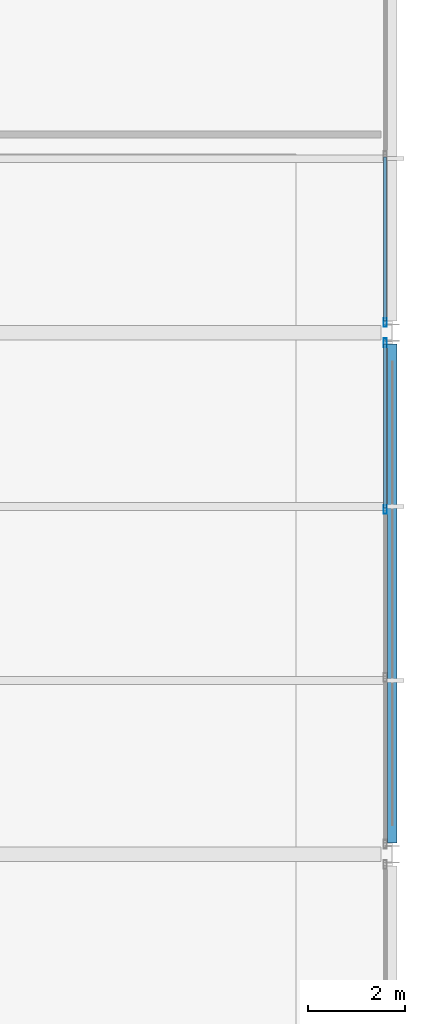
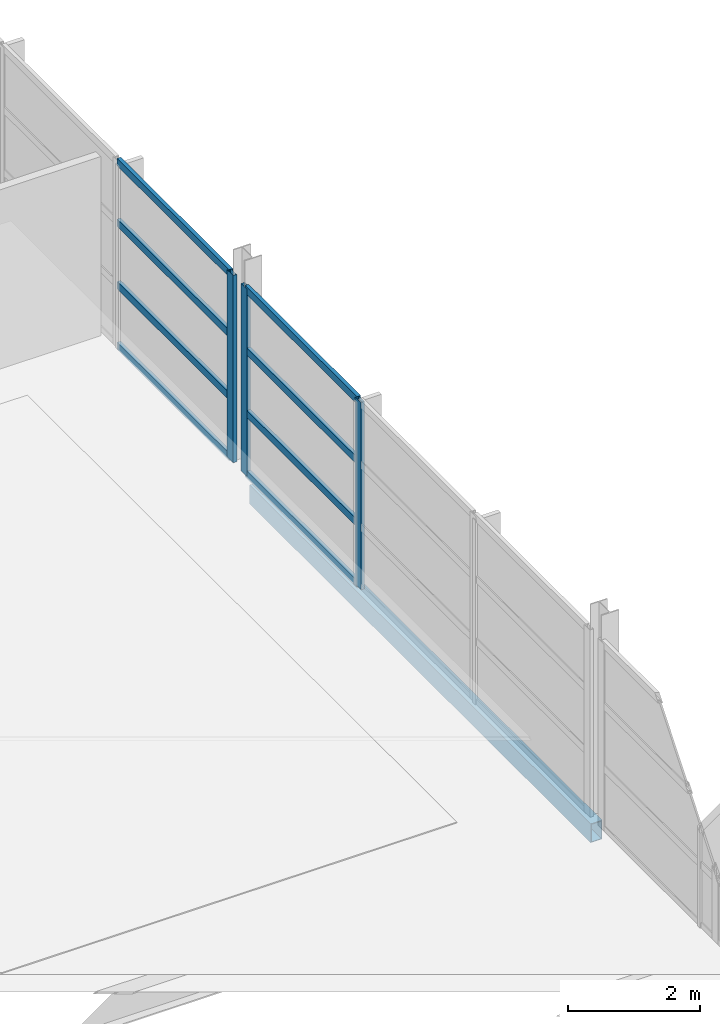
# One storey, part 13 of 33: 11 members, 1 beam, 2 elements without a shape of their own.
"""IFC4 building model written with IfcOpenShell, lengths in metres."""

from ifc_helpers import new_model, si_unit, direction, frame, origin, origin_2d, place, context, subcontext, project, spatial, hollow_rectangle, extrude, material, layer, layer_set, material_profile, profile_set, type_object, element, aggregate, save


model = new_model("IFC4")

# Units and contexts
model_context = context("Model", 3, precision=1e-05, world=origin(), true_north=direction((0.0, 1.0)))
body_context = subcontext(model_context, "Body", "Model", "MODEL_VIEW")
ifc_project = project(units=[si_unit("LENGTHUNIT", "METRE"), si_unit("AREAUNIT", "SQUARE_METRE"), si_unit("VOLUMEUNIT", "CUBIC_METRE"), si_unit("PLANEANGLEUNIT", "RADIAN"), si_unit("MASSUNIT", "GRAM", prefix="KILO")], contexts=[model_context])

# Site, building, storey
site_placement = place(None, origin())
site = spatial("IfcSite", under=ifc_project, at=site_placement, CompositionType="ELEMENT")
building_placement = place(site_placement, origin())
building = spatial("IfcBuilding", under=site, at=building_placement, Name="Tamarisk Ironworks Central Station", CompositionType="ELEMENT")
storey_placement = place(building_placement, frame((0.0, 0.0, 21.300048828125)))
storey = spatial("IfcBuildingStorey", under=building, at=storey_placement, Name="L04", CompositionType="ELEMENT", Elevation=21.300048828125)

# Beam
ifc_material_1 = material(Name="Structural steel S355J2", Category="steel")
ifc_material_profile_1 = material_profile(ifc_material_1, hollow_rectangle(XDim=0.199951171875, YDim=0.35009765625, WallThickness=0.012451171875, at=origin_2d()), Name="RHS 350x200x12.5")
ifc_profile_set_1 = profile_set([ifc_material_profile_1], Name="Structural steel S355J2")
beam_type = type_object("IfcBeamType", Name="BM-SP01", PredefinedType="SPANDREL", material=ifc_profile_set_1)
beam_placement = place(storey_placement, frame((180.0, 90.238037109375, -0.39501953125), z_axis=(0.0, 1.0, 0.0), x_axis=(-1.0, 0.0, 0.0)))
element("IfcBeam", 1, at=beam_placement, inside=storey, type_object=beam_type, Name="L04 primary girder Y-0747", PredefinedType="SPANDREL", context=body_context, shape_type="SweptSolid", body=[
    extrude(hollow_rectangle(XDim=0.199951171875, YDim=0.35009765625, WallThickness=0.012451171875, at=origin_2d()), origin(), (0.0, 0.0, 1.0), 10.323974609375),
])

# Curtain wall, members
ifc_material_2 = material(Name="Anodized aluminium alloy 6063-T6", Category="aluminium")
ifc_layer = layer(ifc_material_2, 0.179931640625)
ifc_layer_set = layer_set([ifc_layer], Name="Anodized aluminium alloy 6063-T6")
curtain_wall_type = type_object("IfcCurtainWallType", Name="CW-22", PredefinedType="USERDEFINED", material=ifc_layer_set)
curtain_wall_1_placement = place(storey_placement, origin())
curtain_wall_1 = element("IfcCurtainWall", 2, at=curtain_wall_1_placement, inside=storey, type_object=curtain_wall_type, Name="Operations L04 east facade curtain wall 090", ObjectType="GLAZED CURTAIN WALL", PredefinedType="USERDEFINED")
ifc_material_profile_2 = material_profile(ifc_material_2, hollow_rectangle(XDim=0.06494140625, YDim=0.179931640625, WallThickness=0.00390625, at=origin_2d()), Name="ALUM 180x65")
ifc_profile_set_2 = profile_set([ifc_material_profile_2], Name="Anodized aluminium alloy 6063-T6")
member_type_1 = type_object("IfcMemberType", Name="CWM-02", PredefinedType="MULLION", material=ifc_profile_set_2)
member_1_placement = place(storey_placement, frame((179.85009765625, 97.140625, 0.0), z_axis=(0.0, 0.0, 1.0), x_axis=(-1.0, 0.0, 0.0)))
member_1 = element("IfcMember", 3, at=member_1_placement, type_object=member_type_1, Name="CW22 mullion 3", PredefinedType="MULLION", context=body_context, shape_type="SweptSolid", body=[
    extrude(hollow_rectangle(XDim=0.06494140625, YDim=0.179931640625, WallThickness=0.00390625, at=origin_2d()), origin(), (0.0, 0.0, 1.0), 3.4599609375),
])
member_2_placement = place(storey_placement, frame((179.85009765625, 100.589599609375, 0.0), z_axis=(0.0, 0.0, 1.0), x_axis=(-1.0, 0.0, 0.0)))
member_2 = element("IfcMember", 4, at=member_2_placement, type_object=member_type_1, Name="CW22 mullion 4", PredefinedType="MULLION", context=body_context, shape_type="SweptSolid", body=[
    extrude(hollow_rectangle(XDim=0.06494140625, YDim=0.179931640625, WallThickness=0.00390625, at=origin_2d()), origin(), (0.0, 0.0, 1.0), 3.4599609375),
])

# Curtain wall, member
curtain_wall_2_placement = place(storey_placement, origin())
curtain_wall_2 = element("IfcCurtainWall", 5, at=curtain_wall_2_placement, inside=storey, type_object=curtain_wall_type, Name="Operations L04 east facade curtain wall 100", ObjectType="GLAZED CURTAIN WALL", PredefinedType="USERDEFINED")
member_3_placement = place(storey_placement, frame((179.85009765625, 101.010498046875, 0.0), z_axis=(0.0, 0.0, 1.0), x_axis=(-1.0, 0.0, 0.0)))
member_3 = element("IfcMember", 6, at=member_3_placement, type_object=member_type_1, Name="CW22 mullion 1", PredefinedType="MULLION", context=body_context, shape_type="SweptSolid", body=[
    extrude(hollow_rectangle(XDim=0.06494140625, YDim=0.179931640625, WallThickness=0.00390625, at=origin_2d()), origin(), (0.0, 0.0, 1.0), 3.4599609375),
])

# Member
ifc_material_profile_3 = material_profile(ifc_material_2, hollow_rectangle(XDim=0.06494140625, YDim=0.135009765625, WallThickness=0.00341796875, at=origin_2d()), Name="ALUM 135x65")
ifc_profile_set_3 = profile_set([ifc_material_profile_3], Name="Anodized aluminium alloy 6063-T6")
member_type_2 = type_object("IfcMemberType", Name="CWT-02", PredefinedType="USERDEFINED", material=ifc_profile_set_3)
member_4_placement = place(storey_placement, frame((179.85009765625, 97.169189453125, 0.032470703125), z_axis=(0.0, 1.0, 0.0), x_axis=(-1.0, 0.0, 0.0)))
member_4 = element("IfcMember", 7, at=member_4_placement, type_object=member_type_2, Name="CW22 transom 3.1", ObjectType="TRANSOM", PredefinedType="USERDEFINED", context=body_context, shape_type="SweptSolid", body=[
    extrude(hollow_rectangle(XDim=0.06494140625, YDim=0.135009765625, WallThickness=0.00341796875, at=origin_2d()), origin(), (0.0, 0.0, 1.0), 3.391845703125),
])

member_5_placement = place(storey_placement, frame((179.85009765625, 97.169189453125, 1.1533203125), z_axis=(0.0, 1.0, 0.0), x_axis=(-1.0, 0.0, 0.0)))
member_5 = element("IfcMember", 8, at=member_5_placement, type_object=member_type_2, Name="CW22 transom 3.2", ObjectType="TRANSOM", PredefinedType="USERDEFINED", context=body_context, shape_type="SweptSolid", body=[
    extrude(hollow_rectangle(XDim=0.06494140625, YDim=0.135009765625, WallThickness=0.00341796875, at=origin_2d()), origin(), (0.0, 0.0, 1.0), 3.391845703125),
])

member_6_placement = place(storey_placement, frame((179.85009765625, 97.169189453125, 2.306640625), z_axis=(0.0, 1.0, 0.0), x_axis=(-1.0, 0.0, 0.0)))
member_6 = element("IfcMember", 9, at=member_6_placement, type_object=member_type_2, Name="CW22 transom 3.3", ObjectType="TRANSOM", PredefinedType="USERDEFINED", context=body_context, shape_type="SweptSolid", body=[
    extrude(hollow_rectangle(XDim=0.06494140625, YDim=0.135009765625, WallThickness=0.00341796875, at=origin_2d()), origin(), (0.0, 0.0, 1.0), 3.391845703125),
])

member_7_placement = place(storey_placement, frame((179.85009765625, 97.169189453125, 3.427490234375), z_axis=(0.0, 1.0, 0.0), x_axis=(-1.0, 0.0, 0.0)))
member_7 = element("IfcMember", 10, at=member_7_placement, type_object=member_type_2, Name="CW22 transom 3.4", ObjectType="TRANSOM", PredefinedType="USERDEFINED", context=body_context, shape_type="SweptSolid", body=[
    extrude(hollow_rectangle(XDim=0.06494140625, YDim=0.135009765625, WallThickness=0.00341796875, at=origin_2d()), origin(), (0.0, 0.0, 1.0), 3.391845703125),
])

aggregate(curtain_wall_1, [member_1, member_2, member_4, member_5, member_6, member_7])

member_8_placement = place(storey_placement, frame((179.85009765625, 101.0390625, 0.032470703125), z_axis=(0.0, 1.0, 0.0), x_axis=(-1.0, 0.0, 0.0)))
member_8 = element("IfcMember", 11, at=member_8_placement, type_object=member_type_2, Name="CW22 transom 1.1", ObjectType="TRANSOM", PredefinedType="USERDEFINED", context=body_context, shape_type="SweptSolid", body=[
    extrude(hollow_rectangle(XDim=0.06494140625, YDim=0.135009765625, WallThickness=0.00341796875, at=origin_2d()), origin(), (0.0, 0.0, 1.0), 3.391845703125),
])

member_9_placement = place(storey_placement, frame((179.85009765625, 101.0390625, 1.1533203125), z_axis=(0.0, 1.0, 0.0), x_axis=(-1.0, 0.0, 0.0)))
member_9 = element("IfcMember", 12, at=member_9_placement, type_object=member_type_2, Name="CW22 transom 1.2", ObjectType="TRANSOM", PredefinedType="USERDEFINED", context=body_context, shape_type="SweptSolid", body=[
    extrude(hollow_rectangle(XDim=0.06494140625, YDim=0.135009765625, WallThickness=0.00341796875, at=origin_2d()), origin(), (0.0, 0.0, 1.0), 3.391845703125),
])

member_10_placement = place(storey_placement, frame((179.85009765625, 101.0390625, 2.306640625), z_axis=(0.0, 1.0, 0.0), x_axis=(-1.0, 0.0, 0.0)))
member_10 = element("IfcMember", 13, at=member_10_placement, type_object=member_type_2, Name="CW22 transom 1.3", ObjectType="TRANSOM", PredefinedType="USERDEFINED", context=body_context, shape_type="SweptSolid", body=[
    extrude(hollow_rectangle(XDim=0.06494140625, YDim=0.135009765625, WallThickness=0.00341796875, at=origin_2d()), origin(), (0.0, 0.0, 1.0), 3.391845703125),
])

member_11_placement = place(storey_placement, frame((179.85009765625, 101.0390625, 3.427490234375), z_axis=(0.0, 1.0, 0.0), x_axis=(-1.0, 0.0, 0.0)))
member_11 = element("IfcMember", 14, at=member_11_placement, type_object=member_type_2, Name="CW22 transom 1.4", ObjectType="TRANSOM", PredefinedType="USERDEFINED", context=body_context, shape_type="SweptSolid", body=[
    extrude(hollow_rectangle(XDim=0.06494140625, YDim=0.135009765625, WallThickness=0.00341796875, at=origin_2d()), origin(), (0.0, 0.0, 1.0), 3.391845703125),
])

aggregate(curtain_wall_2, [member_3, member_8, member_9, member_10, member_11])

save(model, "model.ifc")
